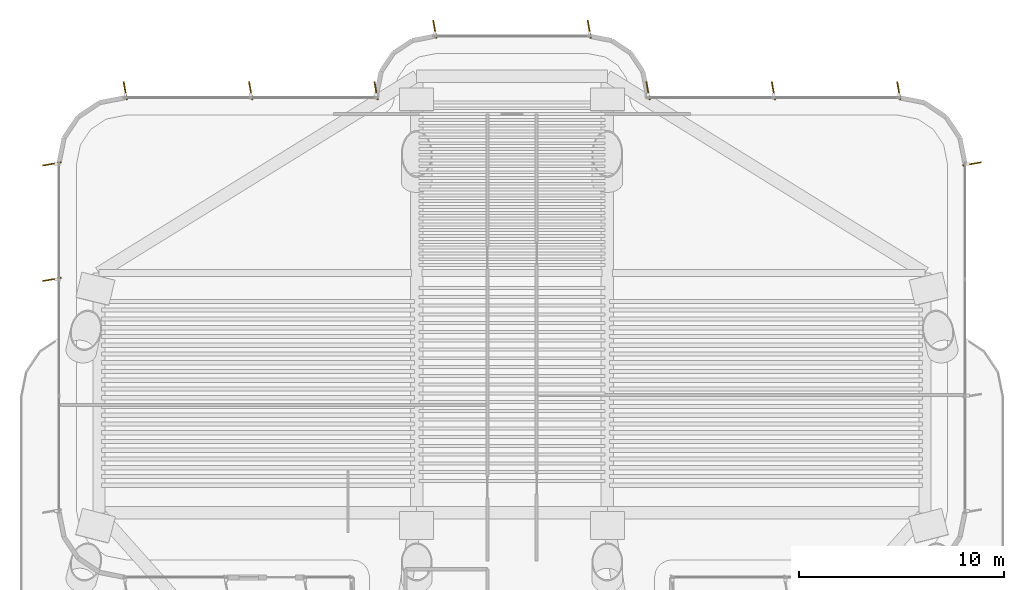
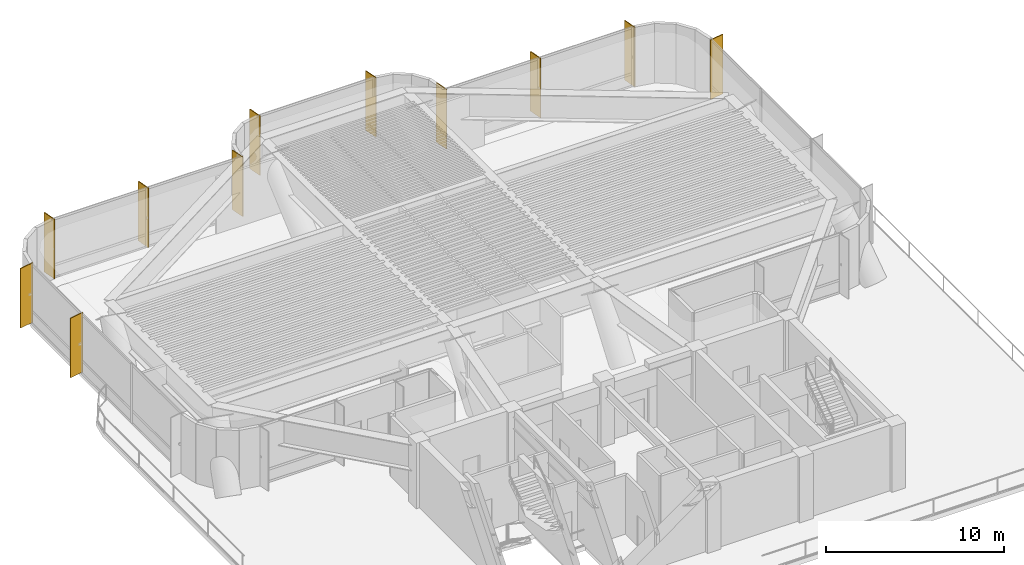
# One storey, part 14 of 14: 11 shading devices.
"""IFC4 building model written with IfcOpenShell, lengths in metres."""

from ifc_helpers import new_model, si_unit, direction, frame, origin, origin_2d, place, context, subcontext, project, spatial, rectangle, extrude, source, transform, mapped, material, material_profile, profile_set, type_object, element, save


model = new_model("IFC4")

# Units and contexts
model_context = context("Model", 3, precision=1e-05, world=origin(), true_north=direction((0.0, 1.0)))
body_context = subcontext(model_context, "Body", "Model", "MODEL_VIEW")
ifc_project = project(units=[si_unit("LENGTHUNIT", "METRE"), si_unit("AREAUNIT", "SQUARE_METRE"), si_unit("VOLUMEUNIT", "CUBIC_METRE"), si_unit("PLANEANGLEUNIT", "RADIAN"), si_unit("MASSUNIT", "GRAM", prefix="KILO")], contexts=[model_context])

# Site, building, storey
site_placement = place(None, origin())
site = spatial("IfcSite", under=ifc_project, at=site_placement, CompositionType="ELEMENT")
building_placement = place(site_placement, origin())
building = spatial("IfcBuilding", under=site, at=building_placement, Name="Brelvock Crest Care Tower", CompositionType="ELEMENT")
storey_placement = place(building_placement, frame((0.0, 0.0, 85.320068359375)))
storey = spatial("IfcBuildingStorey", under=building, at=storey_placement, Name="L21", CompositionType="ELEMENT", Elevation=85.320068359375)

# Shading devices
ifc_material = material(Name="Aluminium 6063-T6", Category="aluminium")
ifc_material_profile = material_profile(ifc_material, rectangle(XDim=0.054931640625, YDim=0.89990234375, at=origin_2d()), Name="FIN55x900")
ifc_profile_set = profile_set([ifc_material_profile], Name="Aluminium 6063-T6")
shading_device_type = type_object("IfcShadingDeviceType", Name="SHD-FIN1", PredefinedType="USERDEFINED", material=ifc_profile_set)
shared_shape = source(origin(), body_context, "Body", "SweptSolid", [
    extrude(rectangle(XDim=0.054931640625, YDim=0.89990234375, at=origin_2d()), origin(), (0.0, 0.0, 1.0), 4.092041015625),
])
for number, where, z_axis, x_axis, name in (
    (1, (13.56005859375, 38.533203125, 0.0), (0.0, 0.0, 1.0), (-0.173648177667, 0.984807753012, 0.0), "L21 Vertical Sunshade Fin E17-03"),
    (2, (13.56005859375, 44.16748046875, 0.0), (0.0, 0.0, 1.0), (-0.173648177667, 0.984807753012, 0.0), "L21 Vertical Sunshade Fin E17-04"),
    (3, (17.132568359375, 47.739990234375, 0.0), (0.0, 0.0, 1.0), (0.984807753012, 0.173648177667, 0.0), "L21 Vertical Sunshade Fin E22-01"),
    (4, (23.25, 47.739990234375, 0.0), (0.0, 0.0, 1.0), (0.984807753012, 0.173648177667, 0.0), "L21 Vertical Sunshade Fin E22-02"),
    (5, (29.367431640625, 47.739990234375, 0.0), (0.0, 0.0, 1.0), (0.984807753012, 0.173648177667, 0.0), "L21 Vertical Sunshade Fin E22-03"),
    (6, (32.232421875, 50.739990234375, 0.0), (0.0, 0.0, 1.0), (0.984807753012, 0.173648177667, 0.0), "L21 Vertical Sunshade Fin E28-01"),
    (7, (39.767578125, 50.739990234375, 0.0), (0.0, 0.0, 1.0), (0.984807753012, 0.173648177667, 0.0), "L21 Vertical Sunshade Fin E28-02"),
    (8, (42.632568359375, 47.739990234375, 0.0), (0.0, 0.0, 1.0), (0.984807753012, 0.173648177667, 0.0), "L21 Vertical Sunshade Fin E34-01"),
    (9, (48.75, 47.739990234375, 0.0), (0.0, 0.0, 1.0), (0.984807753012, 0.173648177667, 0.0), "L21 Vertical Sunshade Fin E34-02"),
    (10, (54.867431640625, 47.739990234375, 0.0), (0.0, 0.0, 1.0), (0.984807753012, 0.173648177667, 0.0), "L21 Vertical Sunshade Fin E34-03"),
    (11, (58.43994140625, 44.16748046875, 0.0), (0.0, 0.0, 1.0), (0.173648177667, -0.984807753012, 0.0), "L21 Vertical Sunshade Fin E39-01"),
):
    element("IfcShadingDevice", number, at=place(storey_placement, frame(where, z_axis=z_axis, x_axis=x_axis)), inside=storey, type_object=shading_device_type, Name=name, ObjectType="FIN", PredefinedType="USERDEFINED", context=body_context, shape_type="MappedRepresentation", body=[
        mapped(shared_shape, transform((0.0, 0.0, 0.0), x_axis=(1.0, 0.0, 0.0), y_axis=(0.0, 1.0, 0.0), z_axis=(0.0, 0.0, 1.0), scale=1.0)),
    ])

save(model, "model.ifc")
